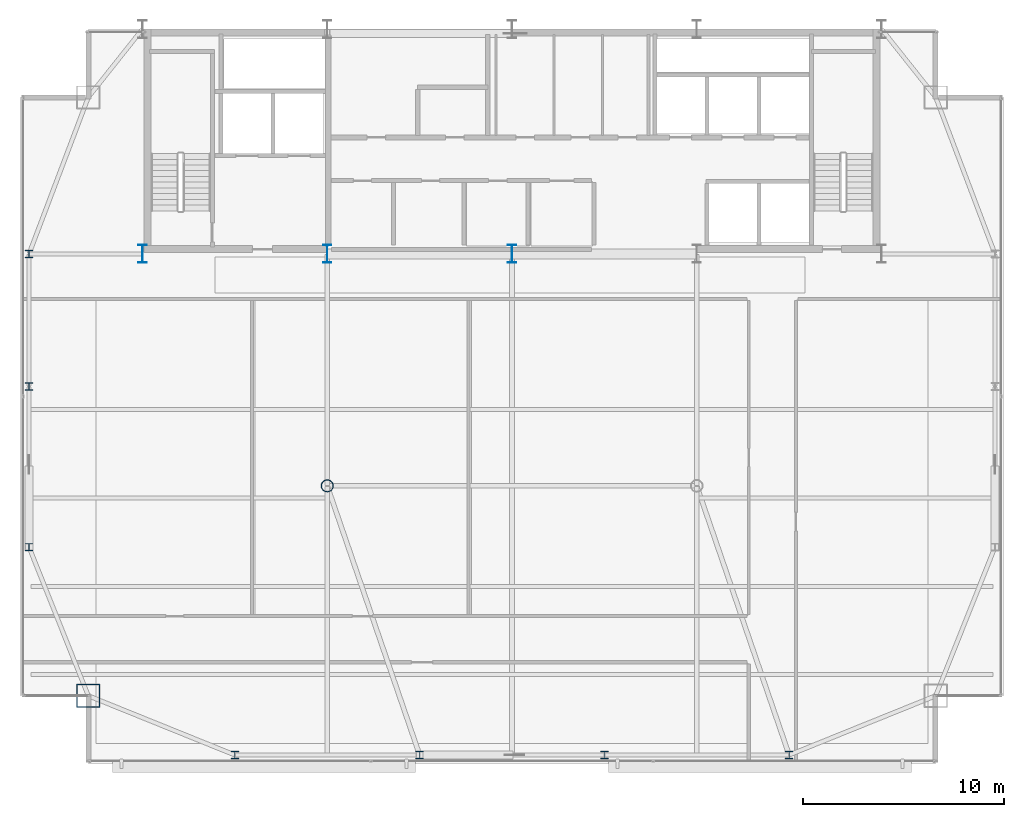
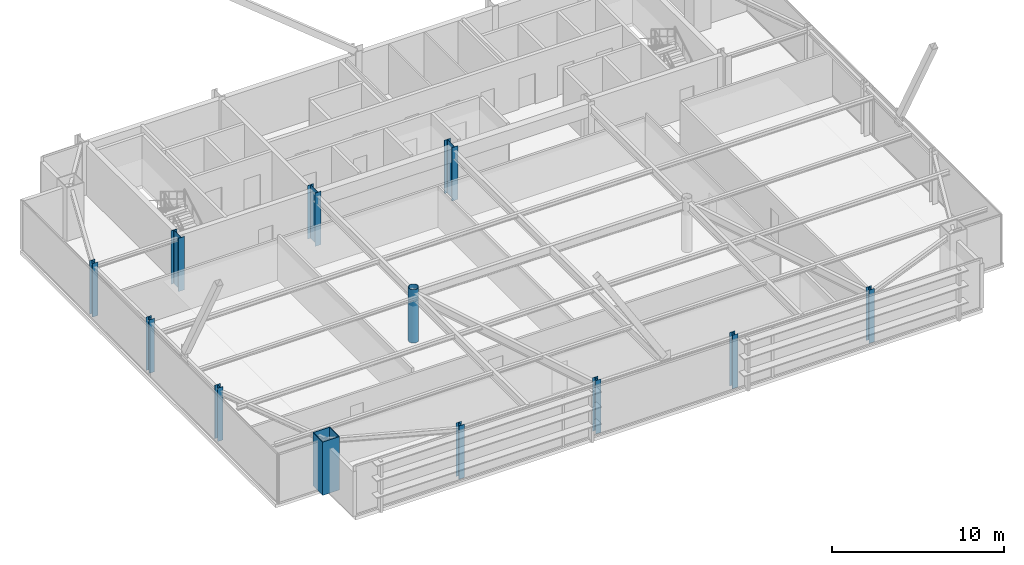
# One storey, part 1 of 27: 12 columns.
"""IFC4 building model written with IfcOpenShell, lengths in metres."""

from ifc_helpers import new_model, si_unit, direction, frame, origin, origin_2d, place, context, subcontext, project, spatial, hollow_rectangle, hollow_circle, i_section, extrude, source, transform, mapped, material, material_profile, profile_set, type_object, type_shapes, element, save


model = new_model("IFC4")

# Units and contexts
model_context = context("Model", 3, precision=1e-05, world=origin(), true_north=direction((0.0, 1.0)))
body_context = subcontext(model_context, "Body", "Model", "MODEL_VIEW")
ifc_project = project(units=[si_unit("LENGTHUNIT", "METRE"), si_unit("AREAUNIT", "SQUARE_METRE"), si_unit("VOLUMEUNIT", "CUBIC_METRE"), si_unit("PLANEANGLEUNIT", "RADIAN"), si_unit("MASSUNIT", "GRAM", prefix="KILO")], contexts=[model_context])

# Site, building, storey
site_placement = place(None, origin())
site = spatial("IfcSite", under=ifc_project, at=site_placement, CompositionType="ELEMENT")
building_placement = place(site_placement, origin())
building = spatial("IfcBuilding", under=site, at=building_placement, Name="Varnel Quay Broadcast Tower", CompositionType="ELEMENT")
storey_placement = place(building_placement, frame((0.0, 0.0, 203.60009765625)))
storey = spatial("IfcBuildingStorey", under=building, at=storey_placement, Name="L50", CompositionType="ELEMENT", Elevation=203.60009765625)

# Columns
ifc_material_1 = material(Name="Structural Steel CSA G40.21 350WT", Category="steel")
ifc_material_profile_1 = material_profile(ifc_material_1, i_section(OverallWidth=0.39990234375, OverallDepth=0.89990234375, WebThickness=0.01611328125, FlangeThickness=0.028076171875, FilletRadius=0.01611328125, at=origin_2d()), Name="WWF900X309")
ifc_profile_set_1 = profile_set([ifc_material_profile_1], Name="Structural Steel CSA G40.21 350WT")
column_type_1 = type_object("IfcColumnType", Name="Col_WWF900X309", PredefinedType="COLUMN", material=ifc_profile_set_1)
shared_shape_1 = source(origin(), body_context, "Body", "SweptSolid", [
    extrude(i_section(OverallWidth=0.39990234375, OverallDepth=0.89990234375, WebThickness=0.01611328125, FlangeThickness=0.028076171875, FilletRadius=0.01611328125, at=origin_2d()), origin(), (0.0, 0.0, 1.0), 3.7998046875),
])
type_shapes(column_type_1, [shared_shape_1])
for number, where, z_axis, x_axis, name in (
    (1, (15.60009765625, 35.60009765625, 0.0), (0.0, 0.0, 1.0), (1.0, 0.0, 0.0), "L50 Column CC-S1"),
    (2, (24.800048828125, 35.60009765625, 0.0), (0.0, 0.0, 1.0), (1.0, 0.0, 0.0), "L50 Column CC-S2"),
    (3, (34.0, 35.60009765625, 0.0), (0.0, 0.0, 1.0), (1.0, 0.0, 0.0), "L50 Column CC-S3"),
):
    element("IfcColumn", number, at=place(storey_placement, frame(where, z_axis=z_axis, x_axis=x_axis)), inside=storey, type_object=column_type_1, Name=name, PredefinedType="COLUMN", context=body_context, shape_type="MappedRepresentation", body=[
        mapped(shared_shape_1, transform((0.0, 0.0, 0.0), x_axis=(1.0, 0.0, 0.0), y_axis=(0.0, 1.0, 0.0), z_axis=(0.0, 0.0, 1.0), scale=1.0)),
    ])
ifc_material_profile_2 = material_profile(ifc_material_1, hollow_rectangle(XDim=1.14990234375, YDim=1.14990234375, WallThickness=0.044921875, at=origin_2d()), Name="BOX1150X1150X45")
ifc_profile_set_2 = profile_set([ifc_material_profile_2], Name="Structural Steel CSA G40.21 350WT")
column_type_2 = type_object("IfcColumnType", Name="Col_BOX1150X1150X45", PredefinedType="COLUMN", material=ifc_profile_set_2)
shared_shape_2 = source(origin(), body_context, "Body", "SweptSolid", [
    extrude(hollow_rectangle(XDim=1.14990234375, YDim=1.14990234375, WallThickness=0.044921875, at=origin_2d()), origin(), (0.0, 0.0, 1.0), 3.7998046875),
])
type_shapes(column_type_2, [shared_shape_2])
column_1_placement = place(storey_placement, frame((12.89990234375, 13.60009765625, 0.0), z_axis=(0.0, 0.0, 1.0), x_axis=(1.0, 0.0, 0.0)))
element("IfcColumn", 4, at=column_1_placement, inside=storey, type_object=column_type_2, Name="L50 Column MC-SW", PredefinedType="COLUMN", context=body_context, shape_type="MappedRepresentation", body=[
    mapped(shared_shape_2, transform((0.0, 0.0, 0.0), x_axis=(1.0, 0.0, 0.0), y_axis=(0.0, 1.0, 0.0), z_axis=(0.0, 0.0, 1.0), scale=1.0)),
])
ifc_material_2 = material(Name="Structural Steel CSA G40.21 350W", Category="steel")
ifc_material_profile_3 = material_profile(ifc_material_2, i_section(OverallWidth=0.368896484375, OverallDepth=0.35595703125, WebThickness=0.01123046875, FlangeThickness=0.01806640625, FilletRadius=0.01611328125, at=origin_2d()), Name="W360X134")
ifc_profile_set_3 = profile_set([ifc_material_profile_3], Name="Structural Steel CSA G40.21 350W")
column_type_3 = type_object("IfcColumnType", Name="Col_W360X134", PredefinedType="COLUMN", material=ifc_profile_set_3)
shared_shape_3 = source(origin(), body_context, "Body", "SweptSolid", [
    extrude(i_section(OverallWidth=0.368896484375, OverallDepth=0.35595703125, WebThickness=0.01123046875, FlangeThickness=0.01806640625, FilletRadius=0.01611328125, at=origin_2d()), origin(), (0.0, 0.0, 1.0), 3.7998046875),
])
type_shapes(column_type_3, [shared_shape_3])
for number, where, z_axis, x_axis, name in (
    (5, (20.199951171875, 10.64990234375, 0.0), (0.0, 0.0, 1.0), (1.0, 0.0, 0.0), "L50 Column TC-S1"),
    (6, (29.39990234375, 10.64990234375, 0.0), (0.0, 0.0, 1.0), (1.0, 0.0, 0.0), "L50 Column TC-S2"),
    (7, (38.60009765625, 10.64990234375, 0.0), (0.0, 0.0, 1.0), (1.0, 0.0, 0.0), "L50 Column TC-S3"),
    (8, (47.800048828125, 10.64990234375, 0.0), (0.0, 0.0, 1.0), (1.0, 0.0, 0.0), "L50 Column TC-S4"),
    (9, (9.949951171875, 21.0, 0.0), (0.0, 0.0, 1.0), (1.0, 0.0, 0.0), "L50 Column TC-W1"),
    (10, (9.949951171875, 29.0, 0.0), (0.0, 0.0, 1.0), (1.0, 0.0, 0.0), "L50 Column TC-W2"),
    (11, (9.949951171875, 35.60009765625, 0.0), (0.0, 0.0, 1.0), (1.0, 0.0, 0.0), "L50 Column TC-W3"),
):
    element("IfcColumn", number, at=place(storey_placement, frame(where, z_axis=z_axis, x_axis=x_axis)), inside=storey, type_object=column_type_3, Name=name, PredefinedType="COLUMN", context=body_context, shape_type="MappedRepresentation", body=[
        mapped(shared_shape_3, transform((0.0, 0.0, 0.0), x_axis=(1.0, 0.0, 0.0), y_axis=(0.0, 1.0, 0.0), z_axis=(0.0, 0.0, 1.0), scale=1.0)),
    ])
ifc_material_profile_4 = material_profile(ifc_material_2, hollow_circle(Radius=0.304931640625, WallThickness=0.02490234375, at=origin_2d()), Name="CHS610X25")
ifc_profile_set_4 = profile_set([ifc_material_profile_4], Name="Structural Steel CSA G40.21 350W")
column_type_4 = type_object("IfcColumnType", Name="Col_CHS610X25", PredefinedType="COLUMN", material=ifc_profile_set_4)
shared_shape_4 = source(origin(), body_context, "Body", "SweptSolid", [
    extrude(hollow_circle(Radius=0.304931640625, WallThickness=0.02490234375, at=origin_2d()), origin(), (0.0, 0.0, 1.0), 3.7998046875),
])
type_shapes(column_type_4, [shared_shape_4])
column_2_placement = place(storey_placement, frame((24.800048828125, 24.050048828125, 0.0), z_axis=(0.0, 0.0, 1.0), x_axis=(1.0, 0.0, 0.0)))
element("IfcColumn", 12, at=column_2_placement, inside=storey, type_object=column_type_4, Name="L50 Column IC-01", PredefinedType="COLUMN", context=body_context, shape_type="MappedRepresentation", body=[
    mapped(shared_shape_4, transform((0.0, 0.0, 0.0), x_axis=(1.0, 0.0, 0.0), y_axis=(0.0, 1.0, 0.0), z_axis=(0.0, 0.0, 1.0), scale=1.0)),
])

save(model, "model.ifc")
